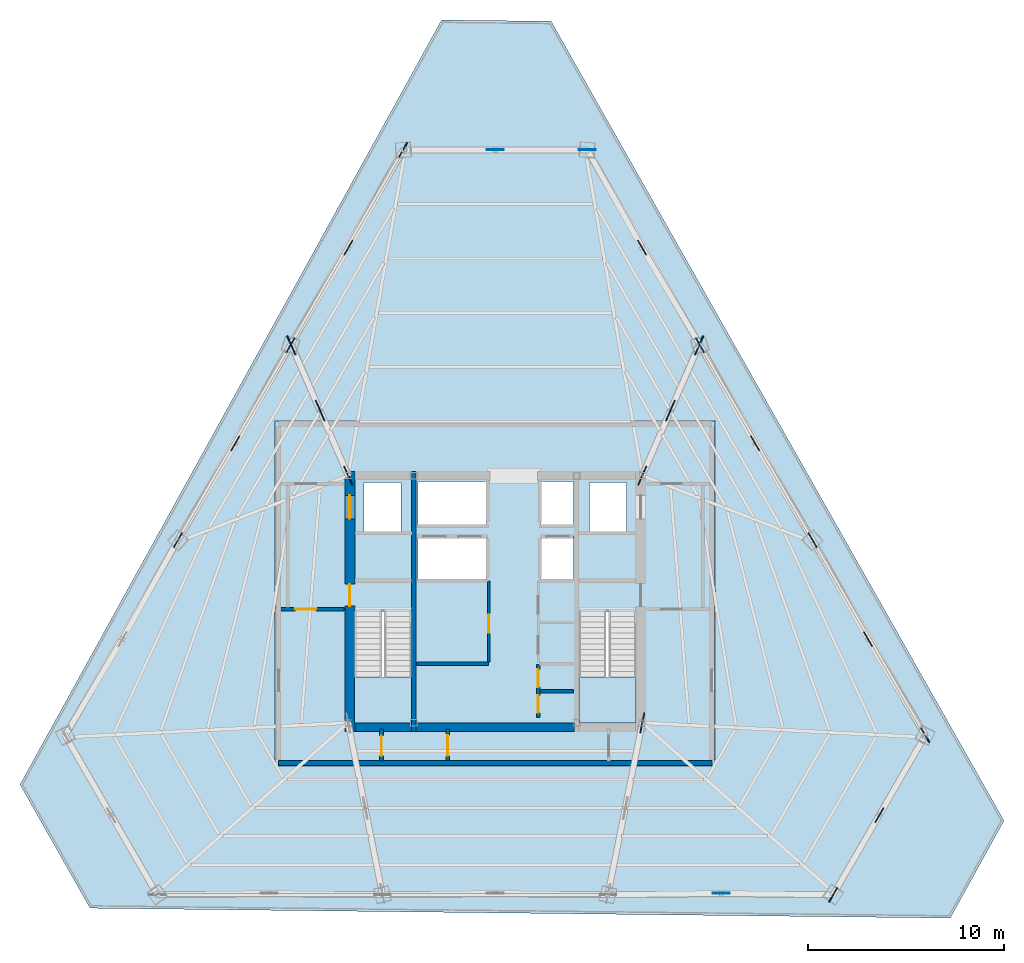
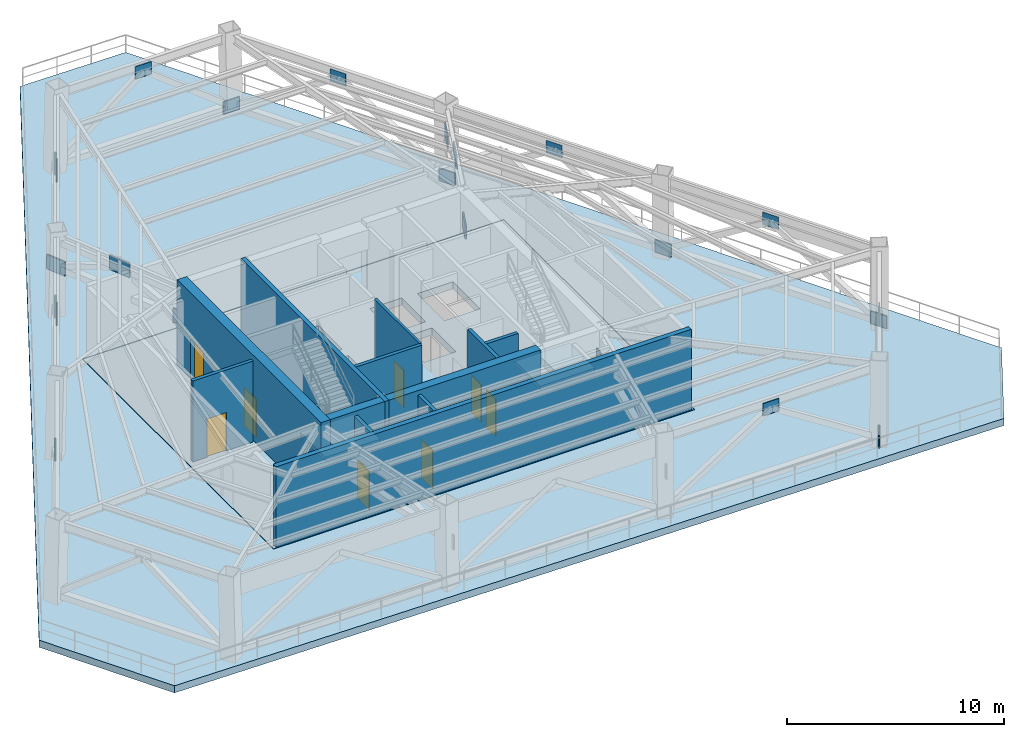
# One storey, part 5 of 10: 23 plates, 12 walls, 8 doors, 4 slabs, 8 openings, 2 elements without a shape of their own.
"""IFC4 building model written with IfcOpenShell, lengths in metres."""

from ifc_helpers import new_model, si_unit, direction, frame, frame_2d, origin, origin_2d, place, context, subcontext, project, spatial, polyline, rectangle, outline, extrude, source, transform, mapped, material, layer, layer_set, type_object, type_shapes, element, fill, aggregate, save


model = new_model("IFC4")

# Units and contexts
model_context = context("Model", 3, precision=1e-05, world=origin(), true_north=direction((0.0, 1.0)))
body_context = subcontext(model_context, "Body", "Model", "MODEL_VIEW")
ifc_project = project(units=[si_unit("LENGTHUNIT", "METRE"), si_unit("AREAUNIT", "SQUARE_METRE"), si_unit("VOLUMEUNIT", "CUBIC_METRE"), si_unit("PLANEANGLEUNIT", "RADIAN"), si_unit("MASSUNIT", "GRAM", prefix="KILO")], contexts=[model_context])

# Site, building, storey
site_placement = place(None, origin())
site = spatial("IfcSite", under=ifc_project, at=site_placement, CompositionType="ELEMENT")
building_placement = place(site_placement, origin())
building = spatial("IfcBuilding", under=site, at=building_placement, Name="Caelisora Broadcast Tower", CompositionType="ELEMENT")
storey_placement = place(building_placement, frame((0.0, 0.0, 220.550048828125)))
storey = spatial("IfcBuildingStorey", under=building, at=storey_placement, Name="L58", CompositionType="ELEMENT", Elevation=220.550048828125)

# Slab
ifc_material_1 = material(Name="Concrete 50 MPa (AS 3600 S50)", Category="concrete")
ifc_layer_1 = layer(ifc_material_1, 0.39990234375, Name="Concrete 50 MPa (AS 3600 S50)")
ifc_layer_set_1 = layer_set([ifc_layer_1], Name="Concrete 50 MPa (AS 3600 S50)")
slab_type_1 = type_object("IfcSlabType", Name="SL03", PredefinedType="FLOOR", material=ifc_layer_set_1)
slab_1_placement = place(storey_placement, frame((0.0, 0.0, -0.400146484375)))
element("IfcSlab", 1, at=slab_1_placement, inside=storey, type_object=slab_type_1, Name="L58 suspended floor SL03", PredefinedType="FLOOR", context=body_context, shape_type="SweptSolid", body=[
    extrude(outline(polyline([(26.800048828125, 15.199951171875), (26.800048828125, 32.800048828125), (49.199951171875, 32.800048828125), (49.199951171875, 15.199951171875), (26.800048828125, 15.199951171875)]), holes=[polyline([(30.820068359375, 17.39990234375), (33.739990234375, 17.39990234375), (33.739990234375, 23.080078125), (30.820068359375, 23.080078125), (30.820068359375, 17.39990234375)]), polyline([(42.260009765625, 17.39990234375), (45.179931640625, 17.39990234375), (45.179931640625, 23.080078125), (42.260009765625, 23.080078125), (42.260009765625, 17.39990234375)]), polyline([(42.800048828125, 27.14990234375), (44.699951171875, 27.14990234375), (44.699951171875, 29.64990234375), (42.800048828125, 29.64990234375), (42.800048828125, 27.14990234375)]), polyline([(40.300048828125, 24.719970703125), (42.0, 24.719970703125), (42.0, 26.919921875), (40.300048828125, 26.919921875), (40.300048828125, 24.719970703125)]), polyline([(40.300048828125, 27.5), (42.0, 27.5), (42.0, 29.699951171875), (40.300048828125, 29.699951171875), (40.300048828125, 27.5)]), polyline([(34.050048828125, 24.719970703125), (37.550048828125, 24.719970703125), (37.550048828125, 26.919921875), (34.050048828125, 26.919921875), (34.050048828125, 24.719970703125)]), polyline([(34.050048828125, 27.5), (37.550048828125, 27.5), (37.550048828125, 29.699951171875), (34.050048828125, 29.699951171875), (34.050048828125, 27.5)]), polyline([(31.300048828125, 27.14990234375), (33.199951171875, 27.14990234375), (33.199951171875, 29.64990234375), (31.300048828125, 29.64990234375), (31.300048828125, 27.14990234375)])]), origin(), (0.0, 0.0, 1.0), 0.400146484375),
])

# Stair, slab
ifc_material_2 = material(Name="Concrete 40 MPa (AS 3600 N40)", Category="concrete")
stair_type_1 = type_object("IfcStairType", Name="ST-1", PredefinedType="HALF_TURN_STAIR", material=ifc_material_2)
stair_1_placement = place(storey_placement, origin())
stair_1 = element("IfcStair", 2, at=stair_1_placement, inside=storey, type_object=stair_type_1, Name="L58 West Fire-Isolated Tower Stair", PredefinedType="HALF_TURN_STAIR")
ifc_layer_2 = layer(ifc_material_2, 0.199951171875, Name="Concrete 40 MPa (AS 3600 N40)")
ifc_layer_set_2 = layer_set([ifc_layer_2], Name="Concrete 40 MPa (AS 3600 N40)")
slab_type_2 = type_object("IfcSlabType", Name="STL-1", PredefinedType="LANDING", material=ifc_layer_set_2)
slab_2_placement = place(storey_placement, frame((0.0, 0.0, 2.199951171875)))
slab_2 = element("IfcSlab", 3, at=slab_2_placement, type_object=slab_type_2, Name="ST-1 landing 1", PredefinedType="LANDING", context=body_context, shape_type="SweptSolid", body=[
    extrude(outline(polyline([(30.820068359375, 19.739990234375), (30.820068359375, 17.39990234375), (33.739990234375, 17.39990234375), (33.739990234375, 19.739990234375), (30.820068359375, 19.739990234375)])), origin(), (0.0, 0.0, 1.0), 0.199951171875),
])
aggregate(stair_1, [slab_2])

stair_type_2 = type_object("IfcStairType", Name="ST-2", PredefinedType="HALF_TURN_STAIR", material=ifc_material_2)
stair_2_placement = place(storey_placement, origin())
stair_2 = element("IfcStair", 4, at=stair_2_placement, inside=storey, type_object=stair_type_2, Name="L58 East Fire-Isolated Tower Stair", PredefinedType="HALF_TURN_STAIR")
slab_3_placement = place(storey_placement, frame((0.0, 0.0, 2.199951171875)))
slab_3 = element("IfcSlab", 5, at=slab_3_placement, type_object=slab_type_2, Name="ST-2 landing 1", PredefinedType="LANDING", context=body_context, shape_type="SweptSolid", body=[
    extrude(outline(polyline([(42.260009765625, 19.739990234375), (42.260009765625, 17.39990234375), (45.179931640625, 17.39990234375), (45.179931640625, 19.739990234375), (42.260009765625, 19.739990234375)])), origin(), (0.0, 0.0, 1.0), 0.199951171875),
])
aggregate(stair_2, [slab_3])

# Slab
ifc_layer_3 = layer(ifc_material_1, 0.39990234375, Name="Concrete 50 MPa (AS 3600 S50)")
ifc_layer_set_3 = layer_set([ifc_layer_3], Name="Concrete 50 MPa (AS 3600 S50)")
slab_type_3 = type_object("IfcSlabType", Name="TR02", PredefinedType="FLOOR", material=ifc_layer_set_3)
slab_4_placement = place(storey_placement, frame((0.0, 0.0, -0.400146484375)))
element("IfcSlab", 6, at=slab_4_placement, inside=storey, type_object=slab_type_3, Name="L58 outdoor terrace slab TR02", PredefinedType="FLOOR", context=body_context, shape_type="SweptSolid", body=[
    extrude(outline(polyline([(63.944091796875, 12.407958984375), (61.205078125, 7.43994140625), (17.3369140625, 7.947021484375), (13.76611328125, 14.25), (35.260986328125, 53.238037109375), (40.85107421875, 53.174072265625), (63.944091796875, 12.407958984375)]), holes=[polyline([(49.199951171875, 15.179931640625), (49.201904296875, 15.179931640625), (49.2041015625, 15.179931640625), (49.2060546875, 15.180908203125), (49.2080078125, 15.181884765625), (49.208984375, 15.181884765625), (49.2109375, 15.18310546875), (49.212890625, 15.18505859375), (49.214111328125, 15.18603515625), (49.215087890625, 15.18701171875), (49.217041015625, 15.18896484375), (49.218017578125, 15.19091796875), (49.218017578125, 15.19189453125), (49.218994140625, 15.194091796875), (49.219970703125, 15.196044921875), (49.219970703125, 15.197998046875), (49.219970703125, 15.199951171875), (49.219970703125, 32.800048828125), (49.219970703125, 32.802001953125), (49.219970703125, 32.803955078125), (49.218994140625, 32.805908203125), (49.218017578125, 32.80810546875), (49.218017578125, 32.80908203125), (49.217041015625, 32.81103515625), (49.215087890625, 32.81298828125), (49.214111328125, 32.81396484375), (49.212890625, 32.81494140625), (49.2109375, 32.81689453125), (49.208984375, 32.818115234375), (49.2080078125, 32.818115234375), (49.2060546875, 32.819091796875), (49.2041015625, 32.820068359375), (49.201904296875, 32.820068359375), (49.199951171875, 32.820068359375), (26.800048828125, 32.820068359375), (26.798095703125, 32.820068359375), (26.7958984375, 32.820068359375), (26.7939453125, 32.819091796875), (26.7919921875, 32.818115234375), (26.791015625, 32.818115234375), (26.7890625, 32.81689453125), (26.787109375, 32.81494140625), (26.785888671875, 32.81396484375), (26.784912109375, 32.81298828125), (26.782958984375, 32.81103515625), (26.781982421875, 32.80908203125), (26.781982421875, 32.80810546875), (26.781005859375, 32.805908203125), (26.780029296875, 32.803955078125), (26.780029296875, 32.802001953125), (26.780029296875, 32.800048828125), (26.780029296875, 15.199951171875), (26.780029296875, 15.197998046875), (26.780029296875, 15.196044921875), (26.781005859375, 15.194091796875), (26.781982421875, 15.19189453125), (26.781982421875, 15.19091796875), (26.782958984375, 15.18896484375), (26.784912109375, 15.18701171875), (26.785888671875, 15.18603515625), (26.787109375, 15.18505859375), (26.7890625, 15.18310546875), (26.791015625, 15.181884765625), (26.7919921875, 15.181884765625), (26.7939453125, 15.180908203125), (26.7958984375, 15.179931640625), (26.798095703125, 15.179931640625), (26.800048828125, 15.179931640625), (49.199951171875, 15.179931640625)])]), origin(), (0.0, 0.0, 1.0), 0.400146484375),
])

# Plates
ifc_material_3 = material(Name="Steel Grade 350 L15 (AS/NZS 3678)", Category="steel")
ifc_layer_4 = layer(ifc_material_3, 0.050048828125, Name="Steel Grade 350 L15 (AS/NZS 3678)")
ifc_layer_set_4 = layer_set([ifc_layer_4], Name="Steel Grade 350 L15 (AS/NZS 3678)")
plate_type_1 = type_object("IfcPlateType", Name="GP03", PredefinedType="USERDEFINED", material=ifc_layer_set_4)
shared_shape_1 = source(origin(), body_context, "Body", "SweptSolid", [
    extrude(rectangle(XDim=0.85009765625, YDim=0.050048828125, at=origin_2d()), origin(), (0.0, 0.0, 1.0), 0.699951171875),
])
type_shapes(plate_type_1, [shared_shape_1])
for number, where, z_axis, x_axis, name in (
    (7, (42.694091796875, 46.6123046875, 0.0), (0.0, 0.0, 1.0), (-1.0, 0.0, 0.0), "L58 gusset plate GP03 (ND-BT-L58-01B)"),
    (8, (38.0, 46.61865234375, 3.6201171875), (0.0, 0.0, 1.0), (-1.0, 0.0, 0.0), "L58 gusset plate GP03 (ND-BT-L58-01M)"),
    (9, (33.305908203125, 46.6123046875, 0.0), (0.0, 0.0, 1.0), (-0.5, -0.866025403784, 0.0), "L58 gusset plate GP03 (ND-BT-L58-02B)"),
    (10, (30.51171875, 41.62890625, 3.6201171875), (0.0, 0.0, 1.0), (-0.5, -0.866025403784, 0.0), "L58 gusset plate GP03 (ND-BT-L58-02M)"),
    (11, (27.560791015625, 36.6611328125, 0.0), (0.0, 0.0, 1.0), (-0.5, -0.866025403784, 0.0), "L58 gusset plate GP03 (ND-BT-L58-03B)"),
    (12, (24.750244140625, 31.64990234375, 3.6201171875), (0.0, 0.0, 1.0), (-0.5, -0.866025403784, 0.0), "L58 gusset plate GP03 (ND-BT-L58-03M)"),
    (13, (21.8154296875, 26.710205078125, 0.0), (0.0, 0.0, 1.0), (-0.5, -0.866025403784, 0.0), "L58 gusset plate GP03 (ND-BT-L58-04B)"),
    (14, (49.52294921875, 8.700439453125, 3.6201171875), (0.0, 0.0, 1.0), (1.0, 0.0, 0.0), "L58 gusset plate GP03 (ND-BT-L58-08M)"),
    (15, (55.235595703125, 8.62890625, 0.0), (0.0, 0.0, 1.0), (0.5, 0.866025403784, 0.0), "L58 gusset plate GP03 (ND-BT-L58-09B)"),
    (16, (57.58837890625, 12.69091796875, 3.6201171875), (0.0, 0.0, 1.0), (0.5, 0.866025403784, 0.0), "L58 gusset plate GP03 (ND-BT-L58-09M)"),
    (17, (59.9296875, 16.759033203125, 0.0), (0.0, 0.0, 1.0), (-0.5, 0.866025403784, 0.0), "L58 gusset plate GP03 (ND-BT-L58-10B)"),
    (18, (57.01123046875, 21.670654296875, 3.6201171875), (0.0, 0.0, 1.0), (-0.5, 0.866025403784, 0.0), "L58 gusset plate GP03 (ND-BT-L58-10M)"),
    (19, (54.1845703125, 26.710205078125, 0.0), (0.0, 0.0, 1.0), (-0.5, 0.866025403784, 0.0), "L58 gusset plate GP03 (ND-BT-L58-11B)"),
    (20, (51.249755859375, 31.64990234375, 3.6201171875), (0.0, 0.0, 1.0), (-0.5, 0.866025403784, 0.0), "L58 gusset plate GP03 (ND-BT-L58-11M)"),
    (21, (48.439208984375, 36.6611328125, 0.0), (0.0, 0.0, 1.0), (-0.5, 0.866025403784, 0.0), "L58 gusset plate GP03 (ND-BT-L58-12B)"),
    (22, (45.48828125, 41.62890625, 3.6201171875), (0.0, 0.0, 1.0), (-0.5, 0.866025403784, 0.0), "L58 gusset plate GP03 (ND-BT-L58-12M)"),
):
    element("IfcPlate", number, at=place(storey_placement, frame(where, z_axis=z_axis, x_axis=x_axis)), inside=storey, type_object=plate_type_1, Name=name, ObjectType="GUSSET PLATE", PredefinedType="USERDEFINED", context=body_context, shape_type="MappedRepresentation", body=[
        mapped(shared_shape_1, transform((0.0, 0.0, 0.0), scale=1.0)),
    ])
ifc_layer_5 = layer(ifc_material_3, 0.06005859375, Name="Steel Grade 350 L15 (AS/NZS 3678)")
ifc_layer_set_5 = layer_set([ifc_layer_5], Name="Steel Grade 350 L15 (AS/NZS 3678)")
plate_type_2 = type_object("IfcPlateType", Name="GP02", PredefinedType="USERDEFINED", material=ifc_layer_set_5)
shared_shape_2 = source(origin(), body_context, "Body", "SweptSolid", [
    extrude(rectangle(XDim=1.050048828125, YDim=0.06005859375, at=origin_2d()), origin(), (0.0, 0.0, 1.0), 0.800048828125),
])
for number, where, z_axis, x_axis, name in (
    (23, (45.5, 17.39990234375, 2.27978515625), (0.0, 0.0, 1.0), (-0.196117290802, -0.980580444557, 0.0), "L58 gusset plate GP02 (ND-OR-L58-2A)"),
    (24, (45.5, 30.0, 2.27978515625), (0.0, 0.0, 1.0), (0.399229185776, 0.916851164162, 0.0), "L58 gusset plate GP02 (ND-OR-L58-3A)"),
    (25, (48.39404296875, 36.647216796875, 2.27978515625), (0.0, 0.0, 1.0), (0.399229185776, 0.916851164162, 0.0), "L58 gusset plate GP02 (ND-OR-L58-3B)"),
    (26, (30.5, 30.0, 2.27978515625), (0.0, 0.0, 1.0), (-0.399229185776, 0.916851164162, 0.0), "L58 gusset plate GP02 (ND-OR-L58-4A)"),
    (27, (27.60595703125, 36.647216796875, 2.27978515625), (0.0, 0.0, 1.0), (-0.399229185776, 0.916851164162, 0.0), "L58 gusset plate GP02 (ND-OR-L58-4B)"),
):
    element("IfcPlate", number, at=place(storey_placement, frame(where, z_axis=z_axis, x_axis=x_axis)), inside=storey, type_object=plate_type_2, Name=name, ObjectType="GUSSET PLATE", PredefinedType="USERDEFINED", context=body_context, shape_type="MappedRepresentation", body=[
        mapped(shared_shape_2, transform((0.0, 0.0, 0.0), scale=1.0)),
    ])
shared_shape_3 = source(origin(), body_context, "Body", "SweptSolid", [
    extrude(rectangle(XDim=1.14990234375, YDim=0.06005859375, at=origin_2d()), origin(), (0.0, 0.0, 1.0), 0.800048828125),
])
type_shapes(plate_type_2, [shared_shape_2, shared_shape_3])
for number, where, z_axis, x_axis, name in (
    (28, (46.93310546875, 33.319091796875, 3.72998046875), (0.0, 0.0, 1.0), (0.399229185776, 0.916851164162, 0.0), "L58 gusset plate GP02 (ND-OR-L58-3M)"),
    (29, (29.067138671875, 33.319091796875, 3.72998046875), (0.0, 0.0, 1.0), (-0.399229185776, 0.916851164162, 0.0), "L58 gusset plate GP02 (ND-OR-L58-4M)"),
):
    element("IfcPlate", number, at=place(storey_placement, frame(where, z_axis=z_axis, x_axis=x_axis)), inside=storey, type_object=plate_type_2, Name=name, ObjectType="GUSSET PLATE", PredefinedType="USERDEFINED", context=body_context, shape_type="MappedRepresentation", body=[
        mapped(shared_shape_3, transform((0.0, 0.0, 0.0), scale=1.0)),
    ])

# Wall, openings, doors
ifc_layer_6 = layer(ifc_material_1, 0.5, Name="Concrete 50 MPa (AS 3600 S50)")
ifc_layer_set_6 = layer_set([ifc_layer_6], Name="Concrete 50 MPa (AS 3600 S50)")
wall_type_1 = type_object("IfcWallType", Name="CW2", PredefinedType="SHEAR", material=ifc_layer_set_6)
wall_1_placement = place(storey_placement, frame((30.590087890625, 16.949951171875, 0.0), z_axis=(0.0, 0.0, 1.0), x_axis=(0.0, 1.0, 0.0)))
wall_1 = element("IfcWall", 30, at=wall_1_placement, inside=storey, type_object=wall_type_1, Name="L58 core shear wall CW2", PredefinedType="SHEAR", context=body_context, shape_type="SweptSolid", body=[
    extrude(rectangle(XDim=13.275146484375, YDim=0.5, at=frame_2d((6.6376953125, 0.0))), origin(), (0.0, 0.0, 1.0), 4.800048828125),
])
opening_1_placement = place(wall_1_placement, frame((6.39990234375, 0.0, 0.0)))
opening_1 = element("IfcOpeningElement", 31, at=opening_1_placement, cuts=wall_1, Name="Opening FD04", PredefinedType="OPENING", context=body_context, shape_type="SweptSolid", body=[
    extrude(rectangle(XDim=1.1201171875, YDim=2.14990234375, at=frame_2d((0.56005859375, 1.074951171875))), frame((0.0, 0.261962890625, 0.0), z_axis=(0.0, -1.0, 0.0), x_axis=(1.0, 0.0, 0.0)), (0.0, 0.0, 1.0), 0.52392578125),
])
opening_2_placement = place(wall_1_placement, frame((10.85009765625, 0.0, 0.0)))
opening_2 = element("IfcOpeningElement", 32, at=opening_2_placement, cuts=wall_1, Name="Opening LD04", PredefinedType="OPENING", context=body_context, shape_type="SweptSolid", body=[
    extrude(rectangle(XDim=1.199951171875, YDim=2.199951171875, at=frame_2d((0.60009765625, 1.10009765625))), frame((0.0, 0.261962890625, 0.0), z_axis=(0.0, -1.0, 0.0), x_axis=(1.0, 0.0, 0.0)), (0.0, 0.0, 1.0), 0.52392578125),
])
ifc_material_4 = material(Name="Pressurised Fire-Isolated Stair Door", Category="steel")
door_type_1 = type_object("IfcDoorType", Name="FD04", OperationType="NOTDEFINED", PredefinedType="DOOR", material=ifc_material_4)
door_1_placement = place(opening_1_placement, origin())
door_1 = element("IfcDoor", 33, at=door_1_placement, inside=storey, type_object=door_type_1, Name="L58 door FD04 (L58-DR-ST1)", OperationType="SINGLE_SWING_LEFT", OverallHeight=2.14990234375, OverallWidth=1.1201171875, PredefinedType="DOOR", context=body_context, shape_type="SweptSolid", body=[
    extrude(rectangle(XDim=1.1201171875, YDim=2.14990234375, at=frame_2d((0.56005859375, 1.074951171875))), frame((0.0, 0.02490234375, 0.0), z_axis=(0.0, -1.0, 0.0), x_axis=(1.0, 0.0, 0.0)), (0.0, 0.0, 1.0), 0.050048828125),
])
fill(opening_1, door_1)
ifc_material_5 = material(Name="Emergency Firefighting Lift Sliding Landing Door", Category="steel")
door_type_2 = type_object("IfcDoorType", Name="LD04", OperationType="NOTDEFINED", PredefinedType="DOOR", material=ifc_material_5)
door_2_placement = place(opening_2_placement, origin())
door_2 = element("IfcDoor", 34, at=door_2_placement, inside=storey, type_object=door_type_2, Name="L58 door LD04 (L58-LD-FFL1)", OperationType="SLIDING_TO_LEFT", OverallHeight=2.199951171875, OverallWidth=1.199951171875, PredefinedType="DOOR", context=body_context, shape_type="SweptSolid", body=[
    extrude(rectangle(XDim=1.199951171875, YDim=2.199951171875, at=frame_2d((0.60009765625, 1.10009765625))), frame((0.0, 0.02490234375, 0.0), z_axis=(0.0, -1.0, 0.0), x_axis=(1.0, 0.0, 0.0)), (0.0, 0.0, 1.0), 0.050048828125),
])
fill(opening_2, door_2)

# Walls
ifc_layer_7 = layer(ifc_material_1, 0.449951171875, Name="Concrete 50 MPa (AS 3600 S50)")
ifc_layer_set_7 = layer_set([ifc_layer_7], Name="Concrete 50 MPa (AS 3600 S50)")
wall_type_2 = type_object("IfcWallType", Name="CW5", PredefinedType="SHEAR", material=ifc_layer_set_7)
wall_2_placement = place(storey_placement, frame((30.840087890625, 17.175048828125, 0.0), z_axis=(0.0, 0.0, 1.0), x_axis=(1.0, 0.0, 0.0)))
element("IfcWall", 35, at=wall_2_placement, inside=storey, type_object=wall_type_2, Name="L58 core shear wall CW5", PredefinedType="SHEAR", context=body_context, shape_type="SweptSolid", body=[
    extrude(rectangle(XDim=2.89990234375, YDim=0.449951171875, at=frame_2d((1.449951171875, 0.0))), origin(), (0.0, 0.0, 1.0), 4.800048828125),
])
wall_3_placement = place(storey_placement, frame((33.9599609375, 17.175048828125, 0.0), z_axis=(0.0, 0.0, 1.0), x_axis=(1.0, 0.0, 0.0)))
element("IfcWall", 36, at=wall_3_placement, inside=storey, type_object=wall_type_2, Name="L58 core shear wall CW5", PredefinedType="SHEAR", context=body_context, shape_type="SweptSolid", body=[
    extrude(rectangle(XDim=8.080078125, YDim=0.449951171875, at=frame_2d((4.0400390625, 0.0))), origin(), (0.0, 0.0, 1.0), 4.800048828125),
])
ifc_layer_8 = layer(ifc_material_1, 0.219970703125, Name="Concrete 50 MPa (AS 3600 S50)")
ifc_layer_set_8 = layer_set([ifc_layer_8], Name="Concrete 50 MPa (AS 3600 S50)")
wall_type_3 = type_object("IfcWallType", Name="CW7", PredefinedType="SHEAR", material=ifc_layer_set_8)
wall_4_placement = place(storey_placement, frame((33.85009765625, 16.949951171875, 0.0), z_axis=(0.0, 0.0, 1.0), x_axis=(0.0, 1.0, 0.0)))
element("IfcWall", 37, at=wall_4_placement, inside=storey, type_object=wall_type_3, Name="L58 core shear wall CW7", PredefinedType="SHEAR", context=body_context, shape_type="SweptSolid", body=[
    extrude(rectangle(XDim=13.275146484375, YDim=0.219970703125, at=frame_2d((6.6376953125, 0.0))), origin(), (0.0, 0.0, 1.0), 4.800048828125),
])
ifc_material_6 = material(Name="Fire-Rated Acoustic Plant Enclosure Wall", Category="masonry")
ifc_layer_9 = layer(ifc_material_6, 0.260009765625, Name="Fire-Rated Acoustic Plant Enclosure Wall")
ifc_layer_set_9 = layer_set([ifc_layer_9], Name="Fire-Rated Acoustic Plant Enclosure Wall")
wall_type_4 = type_object("IfcWallType", Name="EW2", PredefinedType="STANDARD", material=ifc_layer_set_9)
wall_5_placement = place(storey_placement, frame((26.949951171875, 15.35009765625, 0.0), z_axis=(0.0, 0.0, 1.0), x_axis=(1.0, 0.0, 0.0)))
element("IfcWall", 38, at=wall_5_placement, inside=storey, type_object=wall_type_4, Name="L58 exterior envelope wall EW2", PredefinedType="STANDARD", context=body_context, shape_type="SweptSolid", body=[
    extrude(rectangle(XDim=22.10009765625, YDim=0.260009765625, at=frame_2d((11.050048828125, 0.0))), origin(), (0.0, 0.0, 1.0), 4.550048828125),
])

# Wall, opening, door
ifc_material_7 = material(Name="Fire-Rated Gypsum Shaft and Compartment Wall", Category="gypsum")
ifc_layer_10 = layer(ifc_material_7, 0.179931640625, Name="Fire-Rated Gypsum Shaft and Compartment Wall")
ifc_layer_set_10 = layer_set([ifc_layer_10], Name="Fire-Rated Gypsum Shaft and Compartment Wall")
wall_type_5 = type_object("IfcWallType", Name="PW2", PredefinedType="PARTITIONING", material=ifc_layer_set_10)
wall_6_placement = place(storey_placement, frame((27.06494140625, 23.199951171875, 0.0), z_axis=(0.0, 0.0, 1.0), x_axis=(1.0, 0.0, 0.0)))
wall_6 = element("IfcWall", 39, at=wall_6_placement, inside=storey, type_object=wall_type_5, Name="L58 fire compartment wall PW2", PredefinedType="PARTITIONING", context=body_context, shape_type="SweptSolid", body=[
    extrude(rectangle(XDim=3.215087890625, YDim=0.179931640625, at=frame_2d((1.607421875, 0.0))), origin(), (0.0, 0.0, 1.0), 4.550048828125),
])
opening_3_placement = place(wall_6_placement, frame((0.75, 0.0, 0.0)))
opening_3 = element("IfcOpeningElement", 40, at=opening_3_placement, cuts=wall_6, Name="Opening FD02", PredefinedType="OPENING", context=body_context, shape_type="SweptSolid", body=[
    extrude(rectangle(XDim=1.050048828125, YDim=2.14990234375, at=frame_2d((0.52490234375, 1.074951171875))), frame((0.0, 0.10205078125, 0.0), z_axis=(0.0, -1.0, 0.0), x_axis=(1.0, 0.0, 0.0)), (0.0, 0.0, 1.0), 0.203857421875),
])
ifc_material_8 = material(Name="Single-Leaf Steel Fire Lobby Door", Category="steel")
door_type_3 = type_object("IfcDoorType", Name="FD02", OperationType="NOTDEFINED", PredefinedType="DOOR", material=ifc_material_8)
door_3_placement = place(opening_3_placement, origin())
door_3 = element("IfcDoor", 41, at=door_3_placement, inside=storey, type_object=door_type_3, Name="L58 door FD02 (L58-DR-P02D1)", OperationType="SINGLE_SWING_LEFT", OverallHeight=2.14990234375, OverallWidth=1.050048828125, PredefinedType="DOOR", context=body_context, shape_type="SweptSolid", body=[
    extrude(rectangle(XDim=1.050048828125, YDim=2.14990234375, at=frame_2d((0.52490234375, 1.074951171875))), frame((0.0, 0.02490234375, 0.0), z_axis=(0.0, -1.0, 0.0), x_axis=(1.0, 0.0, 0.0)), (0.0, 0.0, 1.0), 0.050048828125),
])
fill(opening_3, door_3)

# Walls
wall_7_placement = place(storey_placement, frame((34.02001953125, 20.419921875, 0.0), z_axis=(0.0, 0.0, 1.0), x_axis=(1.0, 0.0, 0.0)))
element("IfcWall", 42, at=wall_7_placement, inside=storey, type_object=wall_type_5, Name="L58 fire compartment wall PW2", PredefinedType="PARTITIONING", context=body_context, shape_type="SweptSolid", body=[
    extrude(rectangle(XDim=3.639892578125, YDim=0.179931640625, at=frame_2d((1.81982421875, 0.0))), origin(), (0.0, 0.0, 1.0), 4.550048828125),
])
wall_8_placement = place(storey_placement, frame((40.280029296875, 19.02001953125, 0.0), z_axis=(0.0, 0.0, 1.0), x_axis=(1.0, 0.0, 0.0)))
element("IfcWall", 43, at=wall_8_placement, inside=storey, type_object=wall_type_5, Name="L58 fire compartment wall PW2", PredefinedType="PARTITIONING", context=body_context, shape_type="SweptSolid", body=[
    extrude(rectangle(XDim=1.699951171875, YDim=0.179931640625, at=frame_2d((0.85009765625, 0.0))), origin(), (0.0, 0.0, 1.0), 4.550048828125),
])

# Wall, openings, doors
wall_9_placement = place(storey_placement, frame((40.199951171875, 17.679931640625, 0.0), z_axis=(0.0, 0.0, 1.0), x_axis=(0.0, 1.0, 0.0)))
wall_9 = element("IfcWall", 44, at=wall_9_placement, inside=storey, type_object=wall_type_5, Name="L58 fire compartment wall PW2", PredefinedType="PARTITIONING", context=body_context, shape_type="SweptSolid", body=[
    extrude(rectangle(XDim=2.699951171875, YDim=0.179931640625, at=frame_2d((1.35009765625, 0.0))), origin(), (0.0, 0.0, 1.0), 4.550048828125),
])
opening_4_placement = place(wall_9_placement, frame((0.219970703125, 0.0, 0.0)))
opening_4 = element("IfcOpeningElement", 45, at=opening_4_placement, cuts=wall_9, Name="Opening FD03", PredefinedType="OPENING", context=body_context, shape_type="SweptSolid", body=[
    extrude(rectangle(XDim=0.89990234375, YDim=2.10009765625, at=frame_2d((0.449951171875, 1.050048828125))), frame((0.0, 0.10205078125, 0.0), z_axis=(0.0, -1.0, 0.0), x_axis=(1.0, 0.0, 0.0)), (0.0, 0.0, 1.0), 0.203857421875),
])
opening_5_placement = place(wall_9_placement, frame((1.5400390625, 0.0, 0.0)))
opening_5 = element("IfcOpeningElement", 46, at=opening_5_placement, cuts=wall_9, Name="Opening FD03", PredefinedType="OPENING", context=body_context, shape_type="SweptSolid", body=[
    extrude(rectangle(XDim=0.89990234375, YDim=2.10009765625, at=frame_2d((0.449951171875, 1.050048828125))), frame((0.0, 0.10205078125, 0.0), z_axis=(0.0, -1.0, 0.0), x_axis=(1.0, 0.0, 0.0)), (0.0, 0.0, 1.0), 0.203857421875),
])
ifc_material_9 = material(Name="Single-Leaf Steel Riser Fire Access Door", Category="steel")
door_type_4 = type_object("IfcDoorType", Name="FD03", OperationType="NOTDEFINED", PredefinedType="DOOR", material=ifc_material_9)
door_4_placement = place(opening_4_placement, origin())
door_4 = element("IfcDoor", 47, at=door_4_placement, inside=storey, type_object=door_type_4, Name="L58 door FD03 (L58-DR-P15D1)", OperationType="SINGLE_SWING_RIGHT", OverallHeight=2.10009765625, OverallWidth=0.89990234375, PredefinedType="DOOR", context=body_context, shape_type="SweptSolid", body=[
    extrude(rectangle(XDim=0.89990234375, YDim=2.10009765625, at=frame_2d((0.449951171875, 1.050048828125))), frame((0.0, 0.02490234375, 0.0), z_axis=(0.0, -1.0, 0.0), x_axis=(1.0, 0.0, 0.0)), (0.0, 0.0, 1.0), 0.050048828125),
])
fill(opening_4, door_4)
door_5_placement = place(opening_5_placement, origin())
door_5 = element("IfcDoor", 48, at=door_5_placement, inside=storey, type_object=door_type_4, Name="L58 door FD03 (L58-DR-P15D2)", OperationType="SINGLE_SWING_LEFT", OverallHeight=2.10009765625, OverallWidth=0.89990234375, PredefinedType="DOOR", context=body_context, shape_type="SweptSolid", body=[
    extrude(rectangle(XDim=0.89990234375, YDim=2.10009765625, at=frame_2d((0.449951171875, 1.050048828125))), frame((0.0, 0.02490234375, 0.0), z_axis=(0.0, -1.0, 0.0), x_axis=(1.0, 0.0, 0.0)), (0.0, 0.0, 1.0), 0.050048828125),
])
fill(opening_5, door_5)

# Wall, opening, door
wall_10_placement = place(storey_placement, frame((32.199951171875, 15.449951171875, 0.0), z_axis=(0.0, 0.0, 1.0), x_axis=(0.0, 1.0, 0.0)))
wall_10 = element("IfcWall", 49, at=wall_10_placement, inside=storey, type_object=wall_type_5, Name="L58 fire compartment wall PW2", PredefinedType="PARTITIONING", context=body_context, shape_type="SweptSolid", body=[
    extrude(rectangle(XDim=1.630126953125, YDim=0.179931640625, at=frame_2d((0.81494140625, 0.0))), origin(), (0.0, 0.0, 1.0), 4.550048828125),
])
opening_6_placement = place(wall_10_placement, frame((0.25, 0.0, 0.0)))
opening_6 = element("IfcOpeningElement", 50, at=opening_6_placement, cuts=wall_10, Name="Opening FD02", PredefinedType="OPENING", context=body_context, shape_type="SweptSolid", body=[
    extrude(rectangle(XDim=1.050048828125, YDim=2.14990234375, at=frame_2d((0.52490234375, 1.074951171875))), frame((0.0, 0.10205078125, 0.0), z_axis=(0.0, -1.0, 0.0), x_axis=(1.0, 0.0, 0.0)), (0.0, 0.0, 1.0), 0.203857421875),
])
door_6_placement = place(opening_6_placement, origin())
door_6 = element("IfcDoor", 51, at=door_6_placement, inside=storey, type_object=door_type_3, Name="L58 door FD02 (L58-DR-P16D1)", OperationType="SINGLE_SWING_RIGHT", OverallHeight=2.14990234375, OverallWidth=1.050048828125, PredefinedType="DOOR", context=body_context, shape_type="SweptSolid", body=[
    extrude(rectangle(XDim=1.050048828125, YDim=2.14990234375, at=frame_2d((0.52490234375, 1.074951171875))), frame((0.0, 0.02490234375, 0.0), z_axis=(0.0, -1.0, 0.0), x_axis=(1.0, 0.0, 0.0)), (0.0, 0.0, 1.0), 0.050048828125),
])
fill(opening_6, door_6)

wall_11_placement = place(storey_placement, frame((35.580078125, 15.465087890625, 0.0), z_axis=(0.0, 0.0, 1.0), x_axis=(0.0, 1.0, 0.0)))
wall_11 = element("IfcWall", 52, at=wall_11_placement, inside=storey, type_object=wall_type_5, Name="L58 fire compartment wall PW2", PredefinedType="PARTITIONING", context=body_context, shape_type="SweptSolid", body=[
    extrude(rectangle(XDim=1.614990234375, YDim=0.179931640625, at=frame_2d((0.8076171875, 0.0))), origin(), (0.0, 0.0, 1.0), 4.550048828125),
])
opening_7_placement = place(wall_11_placement, frame((0.25, 0.0, 0.0)))
opening_7 = element("IfcOpeningElement", 53, at=opening_7_placement, cuts=wall_11, Name="Opening FD02", PredefinedType="OPENING", context=body_context, shape_type="SweptSolid", body=[
    extrude(rectangle(XDim=1.050048828125, YDim=2.14990234375, at=frame_2d((0.52490234375, 1.074951171875))), frame((0.0, 0.10205078125, 0.0), z_axis=(0.0, -1.0, 0.0), x_axis=(1.0, 0.0, 0.0)), (0.0, 0.0, 1.0), 0.203857421875),
])
door_7_placement = place(opening_7_placement, origin())
door_7 = element("IfcDoor", 54, at=door_7_placement, inside=storey, type_object=door_type_3, Name="L58 door FD02 (L58-DR-P18D1)", OperationType="SINGLE_SWING_RIGHT", OverallHeight=2.14990234375, OverallWidth=1.050048828125, PredefinedType="DOOR", context=body_context, shape_type="SweptSolid", body=[
    extrude(rectangle(XDim=1.050048828125, YDim=2.14990234375, at=frame_2d((0.52490234375, 1.074951171875))), frame((0.0, 0.02490234375, 0.0), z_axis=(0.0, -1.0, 0.0), x_axis=(1.0, 0.0, 0.0)), (0.0, 0.0, 1.0), 0.050048828125),
])
fill(opening_7, door_7)

ifc_material_10 = material(Name="Acoustic Steel-Stud Plasterboard Partition", Category="gypsum")
ifc_layer_11 = layer(ifc_material_10, 0.1298828125, Name="Acoustic Steel-Stud Plasterboard Partition")
ifc_layer_set_11 = layer_set([ifc_layer_11], Name="Acoustic Steel-Stud Plasterboard Partition")
wall_type_6 = type_object("IfcWallType", Name="PW3", PredefinedType="PARTITIONING", material=ifc_layer_set_11)
wall_12_placement = place(storey_placement, frame((37.679931640625, 20.5, 0.0), z_axis=(0.0, 0.0, 1.0), x_axis=(0.0, 1.0, 0.0)))
wall_12 = element("IfcWall", 55, at=wall_12_placement, inside=storey, type_object=wall_type_6, Name="L58 internal partition PW3", PredefinedType="PARTITIONING", context=body_context, shape_type="SweptSolid", body=[
    extrude(rectangle(XDim=4.139892578125, YDim=0.1298828125, at=frame_2d((2.06982421875, 0.0))), origin(), (0.0, 0.0, 1.0), 4.550048828125),
])
opening_8_placement = place(wall_12_placement, frame((1.5, 0.0, 0.0)))
opening_8 = element("IfcOpeningElement", 56, at=opening_8_placement, cuts=wall_12, Name="Opening FD03", PredefinedType="OPENING", context=body_context, shape_type="SweptSolid", body=[
    extrude(rectangle(XDim=0.89990234375, YDim=2.10009765625, at=frame_2d((0.449951171875, 1.050048828125))), frame((0.0, 0.076904296875, 0.0), z_axis=(0.0, -1.0, 0.0), x_axis=(1.0, 0.0, 0.0)), (0.0, 0.0, 1.0), 0.15380859375),
])
door_8_placement = place(opening_8_placement, origin())
door_8 = element("IfcDoor", 57, at=door_8_placement, inside=storey, type_object=door_type_4, Name="L58 door FD03 (L58-DR-P12D1)", OperationType="SINGLE_SWING_LEFT", OverallHeight=2.10009765625, OverallWidth=0.89990234375, PredefinedType="DOOR", context=body_context, shape_type="SweptSolid", body=[
    extrude(rectangle(XDim=0.89990234375, YDim=2.10009765625, at=frame_2d((0.449951171875, 1.050048828125))), frame((0.0, 0.02490234375, 0.0), z_axis=(0.0, -1.0, 0.0), x_axis=(1.0, 0.0, 0.0)), (0.0, 0.0, 1.0), 0.050048828125),
])
fill(opening_8, door_8)

save(model, "model.ifc")
